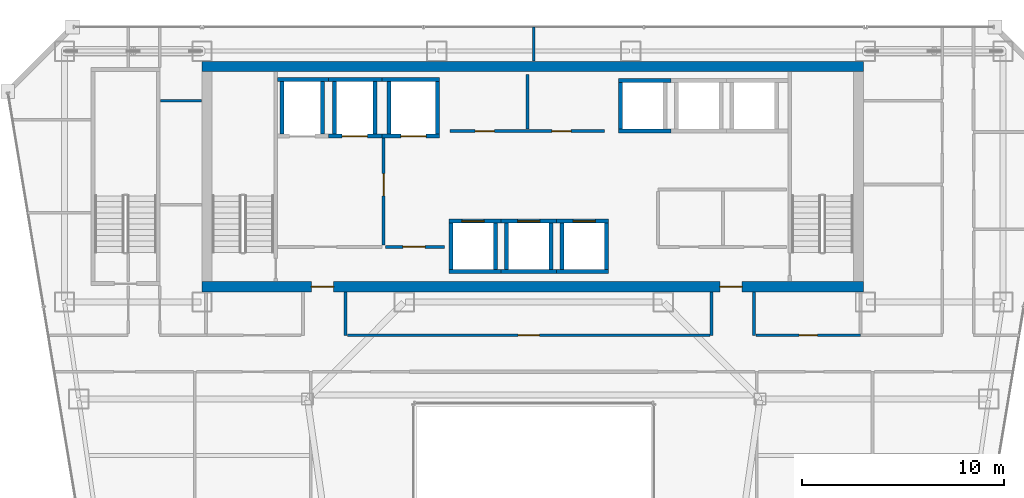
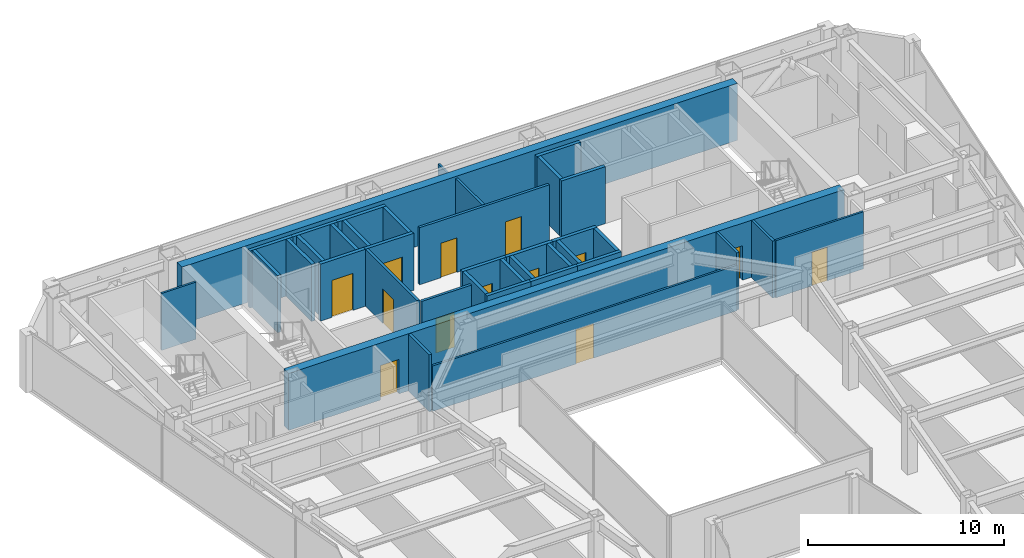
# One storey, part 33 of 38: 39 walls, 13 doors, 13 openings.
"""IFC4 building model written with IfcOpenShell, lengths in metres."""

import ifcopenshell
import ifcopenshell.guid

model = None  # the IFC model being written
_history = None  # IfcOwnerHistory: only IFC2X3 demands one
_inside = {}  # id of a spatial element -> (the spatial element, [elements in it])
_under = {}  # id of a project, library or spatial element -> (it, [spatial elements below it])
_declared = {}  # id of a project -> (the project, [libraries it declares])
_typed = {}  # id of a type object -> (the type object, [elements of that type])
_made_of = {}  # id of a material, layer set ... -> (it, [elements and type objects made of it])


def new_model(schema):
    """Start an empty IFC model of exactly this schema.

    Asked for "IFC4X3", IfcOpenShell would pick the latest addendum, in which some entities
    have other attributes; the version numbers below select the first issue.
    IFC2X3 requires an IfcOwnerHistory on every rooted entity: one is made here for all.
    """
    global model, _history
    if schema == "IFC4X3":
        model = ifcopenshell.file(schema_version=(4, 3, 0, 0))
    else:
        model = ifcopenshell.file(schema=schema)
    _inside.clear()
    _under.clear()
    _declared.clear()
    _typed.clear()
    _made_of.clear()
    _history = None
    if model.schema == "IFC2X3":
        org = make("IfcOrganization", Name="unknown")
        user = make(
            "IfcPersonAndOrganization",
            ThePerson=make("IfcPerson", FamilyName="unknown"),
            TheOrganization=org,
        )
        app = make(
            "IfcApplication",
            ApplicationDeveloper=org,
            Version="unknown",
            ApplicationFullName="unknown",
            ApplicationIdentifier="unknown",
        )
        _history = make(
            "IfcOwnerHistory",
            OwningUser=user,
            OwningApplication=app,
            ChangeAction="ADDED",
            CreationDate=0,
        )
    return model


def make(cls, **values):
    """One entity of the class cls with the attributes given. An attribute that is None is left unset."""
    return model.create_entity(
        cls, **{name: value for name, value in values.items() if value is not None}
    )


def rooted(cls, **values):
    """An entity with a GlobalId (a new one), such as an element, a storey or a relation."""
    return make(cls, GlobalId=ifcopenshell.guid.new(), OwnerHistory=_history, **values)


def si_unit(unit_type, name, prefix=None):
    """IfcSIUnit, for example si_unit("LENGTHUNIT", "METRE", prefix="MILLI")."""
    return make("IfcSIUnit", UnitType=unit_type, Prefix=prefix, Name=name)


def assignment(units):
    """IfcUnitAssignment: the units of a project."""
    return None if units is None else make("IfcUnitAssignment", Units=units)


def point(xyz):
    """IfcCartesianPoint."""
    return None if xyz is None else make("IfcCartesianPoint", Coordinates=xyz)


def direction(xyz):
    """IfcDirection."""
    return None if xyz is None else make("IfcDirection", DirectionRatios=xyz)


def frame(location, z_axis=None, x_axis=None):
    """IfcAxis2Placement3D, a coordinate frame: its origin and axes. An axis left out is left unset."""
    return make(
        "IfcAxis2Placement3D",
        Location=point(location),
        Axis=direction(z_axis),
        RefDirection=direction(x_axis),
    )


def frame_2d(location, x_axis=None):
    """IfcAxis2Placement2D, a coordinate frame in the plane: its origin and x axis."""
    return make(
        "IfcAxis2Placement2D", Location=point(location), RefDirection=direction(x_axis)
    )


def origin():
    """The frame at (0, 0, 0) with its axes left unset."""
    return frame((0.0, 0.0, 0.0))


def place(relative_to, where):
    """IfcLocalPlacement: puts the frame where relative to a parent placement (None: the world)."""
    return make(
        "IfcLocalPlacement", PlacementRelTo=relative_to, RelativePlacement=where
    )


def context(
    kind, dimensions, precision=None, world=None, true_north=None, identifier=None
):
    """IfcGeometricRepresentationContext, for example the 3D "Model" context."""
    return make(
        "IfcGeometricRepresentationContext",
        ContextIdentifier=identifier,
        ContextType=kind,
        CoordinateSpaceDimension=dimensions,
        Precision=precision,
        WorldCoordinateSystem=world,
        TrueNorth=true_north,
    )


def subcontext(parent, identifier, kind, view, scale=None):
    """IfcGeometricRepresentationSubContext, for example "Body" below "Model"."""
    return make(
        "IfcGeometricRepresentationSubContext",
        ContextIdentifier=identifier,
        ContextType=kind,
        ParentContext=parent,
        TargetScale=scale,
        TargetView=view,
    )


def project(units=None, contexts=None):
    """IfcProject with its units and contexts."""
    return rooted(
        "IfcProject",
        Name="project",
        RepresentationContexts=contexts,
        UnitsInContext=assignment(units),
    )


def spatial(cls, under=None, at=None, **own):
    """A site, building, storey or space (cls), placed at a placement, below another one or the project."""
    s = rooted(cls, ObjectPlacement=at, **own)
    if under is not None:
        _under.setdefault(under.id(), (under, []))[1].append(s)
    return s


def profile(cls, at=None, kind="AREA", **sizes):
    """A parametric profile (cls). Its sizes go by their IFC names, for example OverallWidth=200.0."""
    return make(cls, ProfileType=kind, Position=at, **sizes)


def rectangle(**sizes):
    """IfcRectangleProfileDef."""
    return profile("IfcRectangleProfileDef", **sizes)


def extrude(swept, where, along, depth):
    """IfcExtrudedAreaSolid: the profile swept, set in the frame where, extruded along a direction by depth."""
    return make(
        "IfcExtrudedAreaSolid",
        SweptArea=swept,
        Position=where,
        ExtrudedDirection=direction(along),
        Depth=depth,
    )


def shape(context_of_items, identifier, shape_type, items):
    """IfcShapeRepresentation: the items that make up one representation, for example the "Body"."""
    return make(
        "IfcShapeRepresentation",
        ContextOfItems=context_of_items,
        RepresentationIdentifier=identifier,
        RepresentationType=shape_type,
        Items=items,
    )


def material(Name=None, Category=None):
    """IfcMaterial."""
    return make("IfcMaterial", Name=Name, Category=Category)


def layer(
    of_material, thickness, ventilated=None, Name=None, Category=None, Priority=None
):
    """IfcMaterialLayer: one layer of a wall or slab, of a material (None: an air gap)."""
    return make(
        "IfcMaterialLayer",
        Material=of_material,
        LayerThickness=thickness,
        IsVentilated=ventilated,
        Name=Name,
        Category=Category,
        Priority=Priority,
    )


def layer_set(layers, Name=None):
    """IfcMaterialLayerSet."""
    return make("IfcMaterialLayerSet", MaterialLayers=layers, LayerSetName=Name)


def made_of(thing, what):
    """Note that an element or type object is made of a material, layer set ...; save() writes the relation."""
    if what is not None:
        _made_of.setdefault(what.id(), (what, []))[1].append(thing)
    return thing


def type_object(cls, material=None, **own):
    """A type object (cls), such as IfcWallType, which elements share."""
    return made_of(rooted(cls, **own), material)


def element(
    cls,
    number,
    at=None,
    inside=None,
    cuts=None,
    type_object=None,
    material=None,
    context=None,
    identifier="Body",
    shape_type=None,
    held_by="IfcProductDefinitionShape",
    body=None,
    shapes=None,
    **own,
):
    """One element of the class cls, such as IfcWall. Its Tag is "e" and its number.

    at: its placement. inside: the storey or other place that contains it. cuts: it is an
    opening in that element (IfcRelVoidsElement). A single representation is given by context,
    identifier, shape_type and body (its items); several are given by shapes. held_by: the class
    of the entity that holds the representations. save() writes the other relations.
    """
    e = rooted(cls, Tag="e%d" % number, ObjectPlacement=at, **own)
    if body is not None:
        shapes = [shape(context, identifier, shape_type, body)]
    if shapes is not None:
        e.Representation = make(held_by, Representations=shapes)
    if inside is not None:
        _inside.setdefault(inside.id(), (inside, []))[1].append(e)
    if cuts is not None:
        rooted(
            "IfcRelVoidsElement", RelatingBuildingElement=cuts, RelatedOpeningElement=e
        )
    if type_object is not None:
        _typed.setdefault(type_object.id(), (type_object, []))[1].append(e)
    return made_of(e, material)


def fill(opening, filler):
    """IfcRelFillsElement: the door or window that sits in an opening."""
    return rooted(
        "IfcRelFillsElement",
        RelatingOpeningElement=opening,
        RelatedBuildingElement=filler,
    )


def aggregate(whole, parts):
    """IfcRelAggregates: a whole, such as a stair, and the parts it consists of."""
    return rooted("IfcRelAggregates", RelatingObject=whole, RelatedObjects=parts)


def save(model, path):
    """Write the relations noted so far, then the file.

    IfcRelAggregates (storeys below a building ...), IfcRelContainedInSpatialStructure (elements
    in a storey), IfcRelDefinesByType, IfcRelAssociatesMaterial and IfcRelDeclares: one each for
    every whole, place, type object, material and project.
    """
    for whole, parts in _under.values():
        aggregate(whole, parts)
    for where, things in _inside.values():
        rooted(
            "IfcRelContainedInSpatialStructure",
            RelatedElements=things,
            RelatingStructure=where,
        )
    for kind, things in _typed.values():
        rooted("IfcRelDefinesByType", RelatedObjects=things, RelatingType=kind)
    for what, things in _made_of.values():
        rooted("IfcRelAssociatesMaterial", RelatedObjects=things, RelatingMaterial=what)
    for by, libraries in _declared.values():
        rooted("IfcRelDeclares", RelatingContext=by, RelatedDefinitions=libraries)
    model.write(path)


model = new_model("IFC4")

# Units and contexts
model_context = context("Model", 3, precision=1e-05, world=origin(), true_north=direction((0.0, 1.0)))
body_context = subcontext(model_context, "Body", "Model", "MODEL_VIEW")
ifc_project = project(units=[si_unit("LENGTHUNIT", "METRE"), si_unit("AREAUNIT", "SQUARE_METRE"), si_unit("VOLUMEUNIT", "CUBIC_METRE"), si_unit("PLANEANGLEUNIT", "RADIAN"), si_unit("MASSUNIT", "GRAM", prefix="KILO")], contexts=[model_context])

# Site, building, storey
site_placement = place(None, origin())
site = spatial("IfcSite", under=ifc_project, at=site_placement, CompositionType="ELEMENT")
building_placement = place(site_placement, origin())
building = spatial("IfcBuilding", under=site, at=building_placement, Name="Saevonmaru Cultural Tower", CompositionType="ELEMENT")
storey_placement = place(building_placement, frame((0.0, 0.0, 137.199951171875)))
storey = spatial("IfcBuildingStorey", under=building, at=storey_placement, Name="L29", CompositionType="ELEMENT", Elevation=137.199951171875)

# Wall, openings, doors
ifc_material_1 = material(Name="Concrete C60/75", Category="concrete")
ifc_layer_1 = layer(ifc_material_1, 0.5, Name="Concrete C60/75")
ifc_layer_set_1 = layer_set([ifc_layer_1], Name="Concrete C60/75")
wall_type_1 = type_object("IfcWallType", Name="WL-CORE-500", PredefinedType="SHEAR", material=ifc_layer_set_1)
wall_1_placement = place(storey_placement, frame((13.60009765625, 43.14990234375, 0.0), z_axis=(0.0, 0.0, 1.0), x_axis=(1.0, 0.0, 0.0)))
wall_1 = element("IfcWall", 1, at=wall_1_placement, inside=storey, type_object=wall_type_1, Name="L29 Tower RC core shear wall S", PredefinedType="SHEAR", context=body_context, shape_type="SweptSolid", body=[
    extrude(rectangle(XDim=32.699951171875, YDim=0.5, at=frame_2d((16.35009765625, 0.0))), origin(), (0.0, 0.0, 1.0), 3.550048828125),
])
opening_1_placement = place(wall_1_placement, frame((5.39990234375, 0.0, 0.0)))
opening_1 = element("IfcOpeningElement", 2, at=opening_1_placement, cuts=wall_1, Name="Opening FD-2", PredefinedType="OPENING", context=body_context, shape_type="SweptSolid", body=[
    extrude(rectangle(XDim=1.10009765625, YDim=2.14990234375, at=frame_2d((0.550048828125, 1.074951171875))), frame((0.0, 0.260009765625, 0.0), z_axis=(0.0, -1.0, 0.0), x_axis=(1.0, 0.0, 0.0)), (0.0, 0.0, 1.0), 0.52001953125),
])
opening_2_placement = place(wall_1_placement, frame((25.60009765625, 0.0, 0.0)))
opening_2 = element("IfcOpeningElement", 3, at=opening_2_placement, cuts=wall_1, Name="Opening FD-2", PredefinedType="OPENING", context=body_context, shape_type="SweptSolid", body=[
    extrude(rectangle(XDim=1.10009765625, YDim=2.14990234375, at=frame_2d((0.550048828125, 1.074951171875))), frame((0.0, 0.260009765625, 0.0), z_axis=(0.0, -1.0, 0.0), x_axis=(1.0, 0.0, 0.0)), (0.0, 0.0, 1.0), 0.52001953125),
])
ifc_material_2 = material(Name="Satin Bronze Anodised Aluminium", Category="aluminium")
door_type_1 = type_object("IfcDoorType", Name="DR-FD60-1100", OperationType="SINGLE_SWING_LEFT", PredefinedType="DOOR", material=ifc_material_2)
door_1_placement = place(opening_1_placement, origin())
door_1 = element("IfcDoor", 4, at=door_1_placement, inside=storey, type_object=door_type_1, Name="L29 Core West Lobby Fire Door", OperationType="SINGLE_SWING_LEFT", OverallHeight=2.14990234375, OverallWidth=1.10009765625, PredefinedType="DOOR", context=body_context, shape_type="SweptSolid", body=[
    extrude(rectangle(XDim=1.10009765625, YDim=2.14990234375, at=frame_2d((0.550048828125, 1.074951171875))), frame((0.0, 0.02490234375, 0.0), z_axis=(0.0, -1.0, 0.0), x_axis=(1.0, 0.0, 0.0)), (0.0, 0.0, 1.0), 0.050048828125),
])
fill(opening_1, door_1)
door_2_placement = place(opening_2_placement, origin())
door_2 = element("IfcDoor", 5, at=door_2_placement, inside=storey, type_object=door_type_1, Name="L29 Core East Lobby Fire Door", OperationType="SINGLE_SWING_LEFT", OverallHeight=2.14990234375, OverallWidth=1.10009765625, PredefinedType="DOOR", context=body_context, shape_type="SweptSolid", body=[
    extrude(rectangle(XDim=1.10009765625, YDim=2.14990234375, at=frame_2d((0.550048828125, 1.074951171875))), frame((0.0, 0.02490234375, 0.0), z_axis=(0.0, -1.0, 0.0), x_axis=(1.0, 0.0, 0.0)), (0.0, 0.0, 1.0), 0.050048828125),
])
fill(opening_2, door_2)

# Wall
wall_2_placement = place(storey_placement, frame((13.60009765625, 54.050048828125, 0.0), z_axis=(0.0, 0.0, 1.0), x_axis=(1.0, 0.0, 0.0)))
element("IfcWall", 6, at=wall_2_placement, inside=storey, type_object=wall_type_1, Name="L29 Tower RC core shear wall N", PredefinedType="SHEAR", context=body_context, shape_type="SweptSolid", body=[
    extrude(rectangle(XDim=32.699951171875, YDim=0.5, at=frame_2d((16.35009765625, 0.0))), origin(), (0.0, 0.0, 1.0), 3.550048828125),
])

# Wall, opening, door
ifc_material_3 = material(Name="Gypsum Fireboard Partition", Category="gypsum")
ifc_layer_2 = layer(ifc_material_3, 0.14990234375, Name="Gypsum Fireboard Partition")
ifc_layer_set_2 = layer_set([ifc_layer_2], Name="Gypsum Fireboard Partition")
wall_type_2 = type_object("IfcWallType", Name="WL-CORE-PART-150", PredefinedType="PARTITIONING", material=ifc_layer_set_2)
wall_3_placement = place(storey_placement, frame((22.580078125, 50.550048828125, 0.0), z_axis=(0.0, 0.0, 1.0), x_axis=(0.0, -1.0, 0.0)))
wall_3 = element("IfcWall", 7, at=wall_3_placement, inside=storey, type_object=wall_type_2, Name="L29 Firefighting Lift Lobby East Wall", PredefinedType="PARTITIONING", context=body_context, shape_type="SweptSolid", body=[
    extrude(rectangle(XDim=5.330078125, YDim=0.14990234375, at=frame_2d((2.6650390625, 0.0))), origin(), (0.0, 0.0, 1.0), 3.550048828125),
])
opening_3_placement = place(wall_3_placement, frame((1.800048828125, 0.0, 0.0)))
opening_3 = element("IfcOpeningElement", 8, at=opening_3_placement, cuts=wall_3, Name="Opening FD-2", PredefinedType="OPENING", context=body_context, shape_type="SweptSolid", body=[
    extrude(rectangle(XDim=1.10009765625, YDim=2.14990234375, at=frame_2d((0.550048828125, 1.074951171875))), frame((0.0, 0.0849609375, 0.0), z_axis=(0.0, -1.0, 0.0), x_axis=(1.0, 0.0, 0.0)), (0.0, 0.0, 1.0), 0.169921875),
])
door_3_placement = place(opening_3_placement, origin())
door_3 = element("IfcDoor", 9, at=door_3_placement, inside=storey, type_object=door_type_1, Name="L29 Firefighting Lift Lobby East Door", OperationType="SINGLE_SWING_LEFT", OverallHeight=2.14990234375, OverallWidth=1.10009765625, PredefinedType="DOOR", context=body_context, shape_type="SweptSolid", body=[
    extrude(rectangle(XDim=1.10009765625, YDim=2.14990234375, at=frame_2d((0.550048828125, 1.074951171875))), frame((0.0, 0.02490234375, 0.0), z_axis=(0.0, -1.0, 0.0), x_axis=(1.0, 0.0, 0.0)), (0.0, 0.0, 1.0), 0.050048828125),
])
fill(opening_3, door_3)

wall_4_placement = place(storey_placement, frame((22.679931640625, 45.1201171875, 0.0), z_axis=(0.0, 0.0, 1.0), x_axis=(1.0, 0.0, 0.0)))
wall_4 = element("IfcWall", 10, at=wall_4_placement, inside=storey, type_object=wall_type_2, Name="L29 Service Lift Vestibule Wall", PredefinedType="PARTITIONING", context=body_context, shape_type="SweptSolid", body=[
    extrude(rectangle(XDim=2.920166015625, YDim=0.14990234375, at=frame_2d((1.4599609375, 0.0))), origin(), (0.0, 0.0, 1.0), 3.550048828125),
])
opening_4_placement = place(wall_4_placement, frame((0.85009765625, 0.0, 0.0)))
opening_4 = element("IfcOpeningElement", 11, at=opening_4_placement, cuts=wall_4, Name="Opening FD-2", PredefinedType="OPENING", context=body_context, shape_type="SweptSolid", body=[
    extrude(rectangle(XDim=1.10009765625, YDim=2.14990234375, at=frame_2d((0.550048828125, 1.074951171875))), frame((0.0, 0.0849609375, 0.0), z_axis=(0.0, -1.0, 0.0), x_axis=(1.0, 0.0, 0.0)), (0.0, 0.0, 1.0), 0.169921875),
])
door_4_placement = place(opening_4_placement, origin())
door_4 = element("IfcDoor", 12, at=door_4_placement, inside=storey, type_object=door_type_1, Name="L29 Service Lift Vestibule Door", OperationType="SINGLE_SWING_LEFT", OverallHeight=2.14990234375, OverallWidth=1.10009765625, PredefinedType="DOOR", context=body_context, shape_type="SweptSolid", body=[
    extrude(rectangle(XDim=1.10009765625, YDim=2.14990234375, at=frame_2d((0.550048828125, 1.074951171875))), frame((0.0, 0.02490234375, 0.0), z_axis=(0.0, -1.0, 0.0), x_axis=(1.0, 0.0, 0.0)), (0.0, 0.0, 1.0), 0.050048828125),
])
fill(opening_4, door_4)

# Wall, openings, doors
wall_5_placement = place(storey_placement, frame((25.85009765625, 50.85009765625, 0.0), z_axis=(0.0, 0.0, 1.0), x_axis=(1.0, 0.0, 0.0)))
wall_5 = element("IfcWall", 13, at=wall_5_placement, inside=storey, type_object=wall_type_2, Name="L29 Reclaimed Core Room South Wall", PredefinedType="PARTITIONING", context=body_context, shape_type="SweptSolid", body=[
    extrude(rectangle(XDim=7.64990234375, YDim=0.14990234375, at=frame_2d((3.824951171875, 0.0))), origin(), (0.0, 0.0, 1.0), 3.550048828125),
])
opening_5_placement = place(wall_5_placement, frame((1.25, 0.0, 0.0)))
opening_5 = element("IfcOpeningElement", 14, at=opening_5_placement, cuts=wall_5, Name="Opening FD-4", PredefinedType="OPENING", context=body_context, shape_type="SweptSolid", body=[
    extrude(rectangle(XDim=0.949951171875, YDim=2.14990234375, at=frame_2d((0.47509765625, 1.074951171875))), frame((0.0, 0.0849609375, 0.0), z_axis=(0.0, -1.0, 0.0), x_axis=(1.0, 0.0, 0.0)), (0.0, 0.0, 1.0), 0.169921875),
])
opening_6_placement = place(wall_5_placement, frame((5.050048828125, 0.0, 0.0)))
opening_6 = element("IfcOpeningElement", 15, at=opening_6_placement, cuts=wall_5, Name="Opening FD-4", PredefinedType="OPENING", context=body_context, shape_type="SweptSolid", body=[
    extrude(rectangle(XDim=0.949951171875, YDim=2.14990234375, at=frame_2d((0.47509765625, 1.074951171875))), frame((0.0, 0.0849609375, 0.0), z_axis=(0.0, -1.0, 0.0), x_axis=(1.0, 0.0, 0.0)), (0.0, 0.0, 1.0), 0.169921875),
])
door_type_2 = type_object("IfcDoorType", Name="DR-FD60-950", OperationType="SINGLE_SWING_LEFT", PredefinedType="DOOR", material=ifc_material_2)
door_5_placement = place(opening_5_placement, origin())
door_5 = element("IfcDoor", 16, at=door_5_placement, inside=storey, type_object=door_type_2, Name="L29 Reclaimed Archive Vault Door", OperationType="SINGLE_SWING_LEFT", OverallHeight=2.14990234375, OverallWidth=0.949951171875, PredefinedType="DOOR", context=body_context, shape_type="SweptSolid", body=[
    extrude(rectangle(XDim=0.949951171875, YDim=2.14990234375, at=frame_2d((0.47509765625, 1.074951171875))), frame((0.0, 0.02490234375, 0.0), z_axis=(0.0, -1.0, 0.0), x_axis=(1.0, 0.0, 0.0)), (0.0, 0.0, 1.0), 0.050048828125),
])
fill(opening_5, door_5)
door_6_placement = place(opening_6_placement, origin())
door_6 = element("IfcDoor", 17, at=door_6_placement, inside=storey, type_object=door_type_2, Name="L29 Reclaimed Conservation Storage Door", OperationType="SINGLE_SWING_LEFT", OverallHeight=2.14990234375, OverallWidth=0.949951171875, PredefinedType="DOOR", context=body_context, shape_type="SweptSolid", body=[
    extrude(rectangle(XDim=0.949951171875, YDim=2.14990234375, at=frame_2d((0.47509765625, 1.074951171875))), frame((0.0, 0.02490234375, 0.0), z_axis=(0.0, -1.0, 0.0), x_axis=(1.0, 0.0, 0.0)), (0.0, 0.0, 1.0), 0.050048828125),
])
fill(opening_6, door_6)

# Walls
wall_6_placement = place(storey_placement, frame((29.699951171875, 50.949951171875, 0.0), z_axis=(0.0, 0.0, 1.0), x_axis=(0.0, 1.0, 0.0)))
element("IfcWall", 18, at=wall_6_placement, inside=storey, type_object=wall_type_2, Name="L29 Reclaimed Vault Split", PredefinedType="PARTITIONING", context=body_context, shape_type="SweptSolid", body=[
    extrude(rectangle(XDim=2.699951171875, YDim=0.14990234375, at=frame_2d((1.35009765625, 0.0))), origin(), (0.0, 0.0, 1.0), 3.550048828125),
])
ifc_layer_3 = layer(ifc_material_3, 0.14990234375, Name="Gypsum Fireboard Partition")
ifc_layer_set_3 = layer_set([ifc_layer_3], Name="Gypsum Fireboard Partition")
wall_type_3 = type_object("IfcWallType", Name="WL-PART-FIRE-150", PredefinedType="PARTITIONING", material=ifc_layer_set_3)
for number, where, z_axis, x_axis, name in (
    (19, (20.699951171875, 40.75, 0.0), (0.0, 0.0, 1.0), (0.0, 1.0, 0.0), "L29 Core Portal Side Wall W2"),
    (20, (38.800048828125, 40.75, 0.0), (0.0, 0.0, 1.0), (0.0, 1.0, 0.0), "L29 Core Portal Side Wall E1"),
    (21, (40.89990234375, 40.75, 0.0), (0.0, 0.0, 1.0), (0.0, 1.0, 0.0), "L29 Core Portal Side Wall E2"),
):
    element("IfcWall", number, at=place(storey_placement, frame(where, z_axis=z_axis, x_axis=x_axis)), inside=storey, type_object=wall_type_3, Name=name, PredefinedType="PARTITIONING", context=body_context, shape_type="SweptSolid", body=[
        extrude(rectangle(XDim=2.1298828125, YDim=0.14990234375, at=frame_2d((1.06494140625, 0.0))), origin(), (0.0, 0.0, 1.0), 3.550048828125),
    ])
ifc_layer_4 = layer(ifc_material_3, 0.1201171875, Name="Gypsum Fireboard Partition")
ifc_layer_set_4 = layer_set([ifc_layer_4], Name="Gypsum Fireboard Partition")
wall_type_4 = type_object("IfcWallType", Name="WL-PART-GYP-120", PredefinedType="PARTITIONING", material=ifc_layer_set_4)
wall_7_placement = place(storey_placement, frame((11.550048828125, 52.35009765625, 0.0), z_axis=(0.0, 0.0, 1.0), x_axis=(1.0, 0.0, 0.0)))
element("IfcWall", 22, at=wall_7_placement, inside=storey, type_object=wall_type_4, Name="L29 North-West Panorama South Wall", PredefinedType="PARTITIONING", context=body_context, shape_type="SweptSolid", body=[
    extrude(rectangle(XDim=2.030029296875, YDim=0.1201171875, at=frame_2d((1.01513671875, 0.0))), origin(), (0.0, 0.0, 1.0), 3.550048828125),
])
wall_8_placement = place(storey_placement, frame((30.0, 54.320068359375, 0.0), z_axis=(0.0, 0.0, 1.0), x_axis=(0.0, 1.0, 0.0)))
element("IfcWall", 23, at=wall_8_placement, inside=storey, type_object=wall_type_4, Name="L29 North Panorama Center Split", PredefinedType="PARTITIONING", context=body_context, shape_type="SweptSolid", body=[
    extrude(rectangle(XDim=1.675048828125, YDim=0.1201171875, at=frame_2d((0.83740234375, 0.0))), origin(), (0.0, 0.0, 1.0), 2.93505859375),
])

# Wall, opening, door
wall_9_placement = place(storey_placement, frame((20.794921875, 40.75, 0.0), z_axis=(0.0, 0.0, 1.0), x_axis=(1.0, 0.0, 0.0)))
wall_9 = element("IfcWall", 24, at=wall_9_placement, inside=storey, type_object=wall_type_4, Name="L29 Art History Reading Room Corridor Wall", PredefinedType="PARTITIONING", context=body_context, shape_type="SweptSolid", body=[
    extrude(rectangle(XDim=17.91015625, YDim=0.1201171875, at=frame_2d((8.955078125, 0.0))), origin(), (0.0, 0.0, 1.0), 2.8349609375),
])
opening_7_placement = place(wall_9_placement, frame((8.429931640625, 0.0, 0.0)))
opening_7 = element("IfcOpeningElement", 25, at=opening_7_placement, cuts=wall_9, Name="Opening ID-1", PredefinedType="OPENING", context=body_context, shape_type="SweptSolid", body=[
    extrude(rectangle(XDim=1.050048828125, YDim=2.14990234375, at=frame_2d((0.52490234375, 1.074951171875))), frame((0.0, 0.070068359375, 0.0), z_axis=(0.0, -1.0, 0.0), x_axis=(1.0, 0.0, 0.0)), (0.0, 0.0, 1.0), 0.14013671875),
])
door_type_3 = type_object("IfcDoorType", Name="DR-INT-1050", OperationType="SINGLE_SWING_LEFT", PredefinedType="DOOR", material=ifc_material_2)
door_7_placement = place(opening_7_placement, origin())
door_7 = element("IfcDoor", 26, at=door_7_placement, inside=storey, type_object=door_type_3, Name="L29 Art History Reading Room Door", OperationType="SINGLE_SWING_LEFT", OverallHeight=2.14990234375, OverallWidth=1.050048828125, PredefinedType="DOOR", context=body_context, shape_type="SweptSolid", body=[
    extrude(rectangle(XDim=1.050048828125, YDim=2.14990234375, at=frame_2d((0.52490234375, 1.074951171875))), frame((0.0, 0.02490234375, 0.0), z_axis=(0.0, -1.0, 0.0), x_axis=(1.0, 0.0, 0.0)), (0.0, 0.0, 1.0), 0.050048828125),
])
fill(opening_7, door_7)

wall_10_placement = place(storey_placement, frame((40.9951171875, 40.75, 0.0), z_axis=(0.0, 0.0, 1.0), x_axis=(1.0, 0.0, 0.0)))
wall_10 = element("IfcWall", 27, at=wall_10_placement, inside=storey, type_object=wall_type_4, Name="L29 Typography Design Classroom Corridor Wall", PredefinedType="PARTITIONING", context=body_context, shape_type="SweptSolid", body=[
    extrude(rectangle(XDim=5.15478515625, YDim=0.1201171875, at=frame_2d((2.577392578125, 0.0))), origin(), (0.0, 0.0, 1.0), 3.550048828125),
])
opening_8_placement = place(wall_10_placement, frame((2.1279296875, 0.0, 0.0)))
opening_8 = element("IfcOpeningElement", 28, at=opening_8_placement, cuts=wall_10, Name="Opening ID-2", PredefinedType="OPENING", context=body_context, shape_type="SweptSolid", body=[
    extrude(rectangle(XDim=0.89990234375, YDim=2.10009765625, at=frame_2d((0.449951171875, 1.050048828125))), frame((0.0, 0.070068359375, 0.0), z_axis=(0.0, -1.0, 0.0), x_axis=(1.0, 0.0, 0.0)), (0.0, 0.0, 1.0), 0.14013671875),
])
ifc_material_4 = material(Name="Acoustic Stained Oak Timber", Category="wood")
door_type_4 = type_object("IfcDoorType", Name="DR-INT-900", OperationType="SINGLE_SWING_RIGHT", PredefinedType="DOOR", material=ifc_material_4)
door_8_placement = place(opening_8_placement, origin())
door_8 = element("IfcDoor", 29, at=door_8_placement, inside=storey, type_object=door_type_4, Name="L29 Typography Design Classroom Door", OperationType="SINGLE_SWING_RIGHT", OverallHeight=2.10009765625, OverallWidth=0.89990234375, PredefinedType="DOOR", context=body_context, shape_type="SweptSolid", body=[
    extrude(rectangle(XDim=0.89990234375, YDim=2.10009765625, at=frame_2d((0.449951171875, 1.050048828125))), frame((0.0, 0.02490234375, 0.0), z_axis=(0.0, -1.0, 0.0), x_axis=(1.0, 0.0, 0.0)), (0.0, 0.0, 1.0), 0.050048828125),
])
fill(opening_8, door_8)

# Walls
ifc_material_5 = material(Name="Concrete C40/50", Category="concrete")
ifc_layer_5 = layer(ifc_material_5, 0.199951171875, Name="Concrete C40/50")
ifc_layer_set_5 = layer_set([ifc_layer_5], Name="Concrete C40/50")
wall_type_5 = type_object("IfcWallType", Name="WL-SHAFT-200", PredefinedType="SHEAR", material=ifc_layer_set_5)
wall_11_placement = place(storey_placement, frame((17.330078125, 53.39990234375, 0.0), z_axis=(0.0, 0.0, 1.0), x_axis=(1.0, 0.0, 0.0)))
element("IfcWall", 30, at=wall_11_placement, inside=storey, type_object=wall_type_5, Name="L29 Lift FFL-1 Hoistway Wall N", PredefinedType="SHEAR", context=body_context, shape_type="SweptSolid", body=[
    extrude(rectangle(XDim=2.52001953125, YDim=0.199951171875, at=frame_2d((1.260009765625, 0.0))), origin(), (0.0, 0.0, 1.0), 3.550048828125),
])
for number, where, z_axis, x_axis, name in (
    (31, (17.550048828125, 50.699951171875, 0.0), (0.0, 0.0, 1.0), (0.0, 1.0, 0.0), "L29 Lift FFL-1 Hoistway Wall W"),
    (32, (19.550048828125, 50.699951171875, 0.0), (0.0, 0.0, 1.0), (0.0, 1.0, 0.0), "L29 Lift FFL-1 Hoistway Wall E"),
):
    element("IfcWall", number, at=place(storey_placement, frame(where, z_axis=z_axis, x_axis=x_axis)), inside=storey, type_object=wall_type_5, Name=name, PredefinedType="SHEAR", context=body_context, shape_type="SweptSolid", body=[
        extrude(rectangle(XDim=2.60009765625, YDim=0.199951171875, at=frame_2d((1.300048828125, 0.0))), origin(), (0.0, 0.0, 1.0), 3.550048828125),
    ])

# Wall, opening, door
wall_12_placement = place(storey_placement, frame((19.85009765625, 50.60009765625, 0.0), z_axis=(0.0, 0.0, 1.0), x_axis=(1.0, 0.0, 0.0)))
wall_12 = element("IfcWall", 33, at=wall_12_placement, inside=storey, type_object=wall_type_5, Name="L29 Lift FFL-2 Hoistway Wall S", PredefinedType="SHEAR", context=body_context, shape_type="SweptSolid", body=[
    extrude(rectangle(XDim=2.64990234375, YDim=0.199951171875, at=frame_2d((1.324951171875, 0.0))), origin(), (0.0, 0.0, 1.0), 3.550048828125),
])
opening_9_placement = place(wall_12_placement, frame((0.675048828125, 0.0, 0.0)))
opening_9 = element("IfcOpeningElement", 34, at=opening_9_placement, cuts=wall_12, Name="Opening LD-2", PredefinedType="OPENING", context=body_context, shape_type="SweptSolid", body=[
    extrude(rectangle(XDim=1.25, YDim=2.300048828125, at=frame_2d((0.625, 1.14990234375))), frame((0.0, 0.10986328125, 0.0), z_axis=(0.0, -1.0, 0.0), x_axis=(1.0, 0.0, 0.0)), (0.0, 0.0, 1.0), 0.219970703125),
])
ifc_material_6 = material(Name="Stainless Steel 316", Category="steel")
door_type_5 = type_object("IfcDoorType", Name="DR-LIFT-1250", OperationType="SLIDING_TO_LEFT", PredefinedType="DOOR", material=ifc_material_6)
door_9_placement = place(opening_9_placement, origin())
door_9 = element("IfcDoor", 35, at=door_9_placement, inside=storey, type_object=door_type_5, Name="L29 Lift FFL-2 Sliding Landing Door", OperationType="SLIDING_TO_LEFT", OverallHeight=2.300048828125, OverallWidth=1.25, PredefinedType="DOOR", context=body_context, shape_type="SweptSolid", body=[
    extrude(rectangle(XDim=1.25, YDim=2.300048828125, at=frame_2d((0.625, 1.14990234375))), frame((0.0, 0.02490234375, 0.0), z_axis=(0.0, -1.0, 0.0), x_axis=(1.0, 0.0, 0.0)), (0.0, 0.0, 1.0), 0.050048828125),
])
fill(opening_9, door_9)

# Walls
wall_13_placement = place(storey_placement, frame((19.85009765625, 53.39990234375, 0.0), z_axis=(0.0, 0.0, 1.0), x_axis=(1.0, 0.0, 0.0)))
element("IfcWall", 36, at=wall_13_placement, inside=storey, type_object=wall_type_5, Name="L29 Lift FFL-2 Hoistway Wall N", PredefinedType="SHEAR", context=body_context, shape_type="SweptSolid", body=[
    extrude(rectangle(XDim=2.64990234375, YDim=0.199951171875, at=frame_2d((1.324951171875, 0.0))), origin(), (0.0, 0.0, 1.0), 3.550048828125),
])
for number, where, z_axis, x_axis, name in (
    (37, (20.14990234375, 50.699951171875, 0.0), (0.0, 0.0, 1.0), (0.0, 1.0, 0.0), "L29 Lift FFL-2 Hoistway Wall W"),
    (38, (22.14990234375, 50.699951171875, 0.0), (0.0, 0.0, 1.0), (0.0, 1.0, 0.0), "L29 Lift FFL-2 Hoistway Wall E"),
):
    element("IfcWall", number, at=place(storey_placement, frame(where, z_axis=z_axis, x_axis=x_axis)), inside=storey, type_object=wall_type_5, Name=name, PredefinedType="SHEAR", context=body_context, shape_type="SweptSolid", body=[
        extrude(rectangle(XDim=2.60009765625, YDim=0.199951171875, at=frame_2d((1.300048828125, 0.0))), origin(), (0.0, 0.0, 1.0), 3.550048828125),
    ])

# Wall, opening, door
wall_14_placement = place(storey_placement, frame((22.5, 50.60009765625, 0.0), z_axis=(0.0, 0.0, 1.0), x_axis=(1.0, 0.0, 0.0)))
wall_14 = element("IfcWall", 39, at=wall_14_placement, inside=storey, type_object=wall_type_5, Name="L29 Lift GL-1 Hoistway Wall S", PredefinedType="SHEAR", context=body_context, shape_type="SweptSolid", body=[
    extrude(rectangle(XDim=2.85009765625, YDim=0.199951171875, at=frame_2d((1.425048828125, 0.0))), origin(), (0.0, 0.0, 1.0), 3.550048828125),
])
opening_10_placement = place(wall_14_placement, frame((0.925048828125, 0.0, 0.0)))
opening_10 = element("IfcOpeningElement", 40, at=opening_10_placement, cuts=wall_14, Name="Opening LD-2", PredefinedType="OPENING", context=body_context, shape_type="SweptSolid", body=[
    extrude(rectangle(XDim=1.25, YDim=2.300048828125, at=frame_2d((0.625, 1.14990234375))), frame((0.0, 0.10986328125, 0.0), z_axis=(0.0, -1.0, 0.0), x_axis=(1.0, 0.0, 0.0)), (0.0, 0.0, 1.0), 0.219970703125),
])
door_10_placement = place(opening_10_placement, origin())
door_10 = element("IfcDoor", 41, at=door_10_placement, inside=storey, type_object=door_type_5, Name="L29 Lift GL-1 Sliding Landing Door", OperationType="SLIDING_TO_LEFT", OverallHeight=2.300048828125, OverallWidth=1.25, PredefinedType="DOOR", context=body_context, shape_type="SweptSolid", body=[
    extrude(rectangle(XDim=1.25, YDim=2.300048828125, at=frame_2d((0.625, 1.14990234375))), frame((0.0, 0.02490234375, 0.0), z_axis=(0.0, -1.0, 0.0), x_axis=(1.0, 0.0, 0.0)), (0.0, 0.0, 1.0), 0.050048828125),
])
fill(opening_10, door_10)

# Walls
wall_15_placement = place(storey_placement, frame((22.5, 53.39990234375, 0.0), z_axis=(0.0, 0.0, 1.0), x_axis=(1.0, 0.0, 0.0)))
element("IfcWall", 42, at=wall_15_placement, inside=storey, type_object=wall_type_5, Name="L29 Lift GL-1 Hoistway Wall N", PredefinedType="SHEAR", context=body_context, shape_type="SweptSolid", body=[
    extrude(rectangle(XDim=2.85009765625, YDim=0.199951171875, at=frame_2d((1.425048828125, 0.0))), origin(), (0.0, 0.0, 1.0), 3.550048828125),
])
for number, where, z_axis, x_axis, name in (
    (43, (22.85009765625, 50.699951171875, 0.0), (0.0, 0.0, 1.0), (0.0, 1.0, 0.0), "L29 Lift GL-1 Hoistway Wall W"),
    (44, (25.25, 50.699951171875, 0.0), (0.0, 0.0, 1.0), (0.0, 1.0, 0.0), "L29 Lift GL-1 Hoistway Wall E"),
):
    element("IfcWall", number, at=place(storey_placement, frame(where, z_axis=z_axis, x_axis=x_axis)), inside=storey, type_object=wall_type_5, Name=name, PredefinedType="SHEAR", context=body_context, shape_type="SweptSolid", body=[
        extrude(rectangle(XDim=2.60009765625, YDim=0.199951171875, at=frame_2d((1.300048828125, 0.0))), origin(), (0.0, 0.0, 1.0), 3.550048828125),
    ])
wall_16_placement = place(storey_placement, frame((25.800048828125, 43.89990234375, 0.0), z_axis=(0.0, 0.0, 1.0), x_axis=(1.0, 0.0, 0.0)))
element("IfcWall", 45, at=wall_16_placement, inside=storey, type_object=wall_type_5, Name="L29 Lift PL-M1 Hoistway Wall S", PredefinedType="SHEAR", context=body_context, shape_type="SweptSolid", body=[
    extrude(rectangle(XDim=2.574951171875, YDim=0.199951171875, at=frame_2d((1.28759765625, 0.0))), origin(), (0.0, 0.0, 1.0), 3.550048828125),
])

# Wall, opening, door
wall_17_placement = place(storey_placement, frame((25.800048828125, 46.39990234375, 0.0), z_axis=(0.0, 0.0, 1.0), x_axis=(1.0, 0.0, 0.0)))
wall_17 = element("IfcWall", 46, at=wall_17_placement, inside=storey, type_object=wall_type_5, Name="L29 Lift PL-M1 Hoistway Wall N", PredefinedType="SHEAR", context=body_context, shape_type="SweptSolid", body=[
    extrude(rectangle(XDim=2.574951171875, YDim=0.199951171875, at=frame_2d((1.28759765625, 0.0))), origin(), (0.0, 0.0, 1.0), 3.550048828125),
])
opening_11_placement = place(wall_17_placement, frame((0.64990234375, 0.0, 0.0)))
opening_11 = element("IfcOpeningElement", 47, at=opening_11_placement, cuts=wall_17, Name="Opening LD-1", PredefinedType="OPENING", context=body_context, shape_type="SweptSolid", body=[
    extrude(rectangle(XDim=1.10009765625, YDim=2.199951171875, at=frame_2d((0.550048828125, 1.10009765625))), frame((0.0, 0.10986328125, 0.0), z_axis=(0.0, -1.0, 0.0), x_axis=(1.0, 0.0, 0.0)), (0.0, 0.0, 1.0), 0.219970703125),
])
ifc_material_7 = material(Name="Satin Bronze Stainless Steel", Category="steel")
door_type_6 = type_object("IfcDoorType", Name="DR-LIFT-1100", OperationType="SLIDING_TO_LEFT", PredefinedType="DOOR", material=ifc_material_7)
door_11_placement = place(opening_11_placement, origin())
door_11 = element("IfcDoor", 48, at=door_11_placement, inside=storey, type_object=door_type_6, Name="L29 Lift PL-M1 Sliding Landing Door", OperationType="SLIDING_TO_LEFT", OverallHeight=2.199951171875, OverallWidth=1.10009765625, PredefinedType="DOOR", context=body_context, shape_type="SweptSolid", body=[
    extrude(rectangle(XDim=1.10009765625, YDim=2.199951171875, at=frame_2d((0.550048828125, 1.10009765625))), frame((0.0, 0.02490234375, 0.0), z_axis=(0.0, -1.0, 0.0), x_axis=(1.0, 0.0, 0.0)), (0.0, 0.0, 1.0), 0.050048828125),
])
fill(opening_11, door_11)

# Walls
for number, where, z_axis, x_axis, name in (
    (49, (25.89990234375, 44.0, 0.0), (0.0, 0.0, 1.0), (0.0, 1.0, 0.0), "L29 Lift PL-M1 Hoistway Wall W"),
    (50, (28.10009765625, 44.0, 0.0), (0.0, 0.0, 1.0), (0.0, 1.0, 0.0), "L29 Lift PL-M1 Hoistway Wall E"),
):
    element("IfcWall", number, at=place(storey_placement, frame(where, z_axis=z_axis, x_axis=x_axis)), inside=storey, type_object=wall_type_5, Name=name, PredefinedType="SHEAR", context=body_context, shape_type="SweptSolid", body=[
        extrude(rectangle(XDim=2.300048828125, YDim=0.199951171875, at=frame_2d((1.14990234375, 0.0))), origin(), (0.0, 0.0, 1.0), 3.550048828125),
    ])
wall_18_placement = place(storey_placement, frame((28.375, 43.89990234375, 0.0), z_axis=(0.0, 0.0, 1.0), x_axis=(1.0, 0.0, 0.0)))
element("IfcWall", 51, at=wall_18_placement, inside=storey, type_object=wall_type_5, Name="L29 Lift PL-M2 Hoistway Wall S", PredefinedType="SHEAR", context=body_context, shape_type="SweptSolid", body=[
    extrude(rectangle(XDim=2.75, YDim=0.199951171875, at=frame_2d((1.375, 0.0))), origin(), (0.0, 0.0, 1.0), 3.550048828125),
])

# Wall, opening, door
wall_19_placement = place(storey_placement, frame((28.375, 46.39990234375, 0.0), z_axis=(0.0, 0.0, 1.0), x_axis=(1.0, 0.0, 0.0)))
wall_19 = element("IfcWall", 52, at=wall_19_placement, inside=storey, type_object=wall_type_5, Name="L29 Lift PL-M2 Hoistway Wall N", PredefinedType="SHEAR", context=body_context, shape_type="SweptSolid", body=[
    extrude(rectangle(XDim=2.75, YDim=0.199951171875, at=frame_2d((1.375, 0.0))), origin(), (0.0, 0.0, 1.0), 3.550048828125),
])
opening_12_placement = place(wall_19_placement, frame((0.824951171875, 0.0, 0.0)))
opening_12 = element("IfcOpeningElement", 53, at=opening_12_placement, cuts=wall_19, Name="Opening LD-1", PredefinedType="OPENING", context=body_context, shape_type="SweptSolid", body=[
    extrude(rectangle(XDim=1.10009765625, YDim=2.199951171875, at=frame_2d((0.550048828125, 1.10009765625))), frame((0.0, 0.10986328125, 0.0), z_axis=(0.0, -1.0, 0.0), x_axis=(1.0, 0.0, 0.0)), (0.0, 0.0, 1.0), 0.219970703125),
])
door_12_placement = place(opening_12_placement, origin())
door_12 = element("IfcDoor", 54, at=door_12_placement, inside=storey, type_object=door_type_6, Name="L29 Lift PL-M2 Sliding Landing Door", OperationType="SLIDING_TO_LEFT", OverallHeight=2.199951171875, OverallWidth=1.10009765625, PredefinedType="DOOR", context=body_context, shape_type="SweptSolid", body=[
    extrude(rectangle(XDim=1.10009765625, YDim=2.199951171875, at=frame_2d((0.550048828125, 1.10009765625))), frame((0.0, 0.02490234375, 0.0), z_axis=(0.0, -1.0, 0.0), x_axis=(1.0, 0.0, 0.0)), (0.0, 0.0, 1.0), 0.050048828125),
])
fill(opening_12, door_12)

# Walls
for number, where, z_axis, x_axis, name in (
    (55, (28.64990234375, 44.0, 0.0), (0.0, 0.0, 1.0), (0.0, 1.0, 0.0), "L29 Lift PL-M2 Hoistway Wall W"),
    (56, (30.85009765625, 44.0, 0.0), (0.0, 0.0, 1.0), (0.0, 1.0, 0.0), "L29 Lift PL-M2 Hoistway Wall E"),
):
    element("IfcWall", number, at=place(storey_placement, frame(where, z_axis=z_axis, x_axis=x_axis)), inside=storey, type_object=wall_type_5, Name=name, PredefinedType="SHEAR", context=body_context, shape_type="SweptSolid", body=[
        extrude(rectangle(XDim=2.300048828125, YDim=0.199951171875, at=frame_2d((1.14990234375, 0.0))), origin(), (0.0, 0.0, 1.0), 3.550048828125),
    ])
wall_20_placement = place(storey_placement, frame((31.125, 43.89990234375, 0.0), z_axis=(0.0, 0.0, 1.0), x_axis=(1.0, 0.0, 0.0)))
element("IfcWall", 57, at=wall_20_placement, inside=storey, type_object=wall_type_5, Name="L29 Lift PL-M3 Hoistway Wall S", PredefinedType="SHEAR", context=body_context, shape_type="SweptSolid", body=[
    extrude(rectangle(XDim=2.574951171875, YDim=0.199951171875, at=frame_2d((1.28759765625, 0.0))), origin(), (0.0, 0.0, 1.0), 3.550048828125),
])

# Wall, opening, door
wall_21_placement = place(storey_placement, frame((31.125, 46.39990234375, 0.0), z_axis=(0.0, 0.0, 1.0), x_axis=(1.0, 0.0, 0.0)))
wall_21 = element("IfcWall", 58, at=wall_21_placement, inside=storey, type_object=wall_type_5, Name="L29 Lift PL-M3 Hoistway Wall N", PredefinedType="SHEAR", context=body_context, shape_type="SweptSolid", body=[
    extrude(rectangle(XDim=2.574951171875, YDim=0.199951171875, at=frame_2d((1.28759765625, 0.0))), origin(), (0.0, 0.0, 1.0), 3.550048828125),
])
opening_13_placement = place(wall_21_placement, frame((0.824951171875, 0.0, 0.0)))
opening_13 = element("IfcOpeningElement", 59, at=opening_13_placement, cuts=wall_21, Name="Opening LD-1", PredefinedType="OPENING", context=body_context, shape_type="SweptSolid", body=[
    extrude(rectangle(XDim=1.10009765625, YDim=2.199951171875, at=frame_2d((0.550048828125, 1.10009765625))), frame((0.0, 0.10986328125, 0.0), z_axis=(0.0, -1.0, 0.0), x_axis=(1.0, 0.0, 0.0)), (0.0, 0.0, 1.0), 0.219970703125),
])
door_13_placement = place(opening_13_placement, origin())
door_13 = element("IfcDoor", 60, at=door_13_placement, inside=storey, type_object=door_type_6, Name="L29 Lift PL-M3 Sliding Landing Door", OperationType="SLIDING_TO_LEFT", OverallHeight=2.199951171875, OverallWidth=1.10009765625, PredefinedType="DOOR", context=body_context, shape_type="SweptSolid", body=[
    extrude(rectangle(XDim=1.10009765625, YDim=2.199951171875, at=frame_2d((0.550048828125, 1.10009765625))), frame((0.0, 0.02490234375, 0.0), z_axis=(0.0, -1.0, 0.0), x_axis=(1.0, 0.0, 0.0)), (0.0, 0.0, 1.0), 0.050048828125),
])
fill(opening_13, door_13)

# Walls
for number, where, z_axis, x_axis, name in (
    (61, (31.39990234375, 44.0, 0.0), (0.0, 0.0, 1.0), (0.0, 1.0, 0.0), "L29 Lift PL-M3 Hoistway Wall W"),
    (62, (33.60009765625, 44.0, 0.0), (0.0, 0.0, 1.0), (0.0, 1.0, 0.0), "L29 Lift PL-M3 Hoistway Wall E"),
):
    element("IfcWall", number, at=place(storey_placement, frame(where, z_axis=z_axis, x_axis=x_axis)), inside=storey, type_object=wall_type_5, Name=name, PredefinedType="SHEAR", context=body_context, shape_type="SweptSolid", body=[
        extrude(rectangle(XDim=2.300048828125, YDim=0.199951171875, at=frame_2d((1.14990234375, 0.0))), origin(), (0.0, 0.0, 1.0), 3.550048828125),
    ])
for number, where, z_axis, x_axis, name in (
    (63, (34.199951171875, 50.85009765625, 0.0), (0.0, 0.0, 1.0), (1.0, 0.0, 0.0), "L29 Lift PL-H1 Hoistway Wall S"),
    (64, (34.199951171875, 53.35009765625, 0.0), (0.0, 0.0, 1.0), (1.0, 0.0, 0.0), "L29 Lift PL-H1 Hoistway Wall N"),
):
    element("IfcWall", number, at=place(storey_placement, frame(where, z_axis=z_axis, x_axis=x_axis)), inside=storey, type_object=wall_type_5, Name=name, PredefinedType="SHEAR", context=body_context, shape_type="SweptSolid", body=[
        extrude(rectangle(XDim=2.574951171875, YDim=0.199951171875, at=frame_2d((1.28759765625, 0.0))), origin(), (0.0, 0.0, 1.0), 3.550048828125),
    ])
wall_22_placement = place(storey_placement, frame((34.300048828125, 50.949951171875, 0.0), z_axis=(0.0, 0.0, 1.0), x_axis=(0.0, 1.0, 0.0)))
element("IfcWall", 65, at=wall_22_placement, inside=storey, type_object=wall_type_5, Name="L29 Lift PL-H1 Hoistway Wall W", PredefinedType="SHEAR", context=body_context, shape_type="SweptSolid", body=[
    extrude(rectangle(XDim=2.300048828125, YDim=0.199951171875, at=frame_2d((1.14990234375, 0.0))), origin(), (0.0, 0.0, 1.0), 3.550048828125),
])

save(model, "model.ifc")
